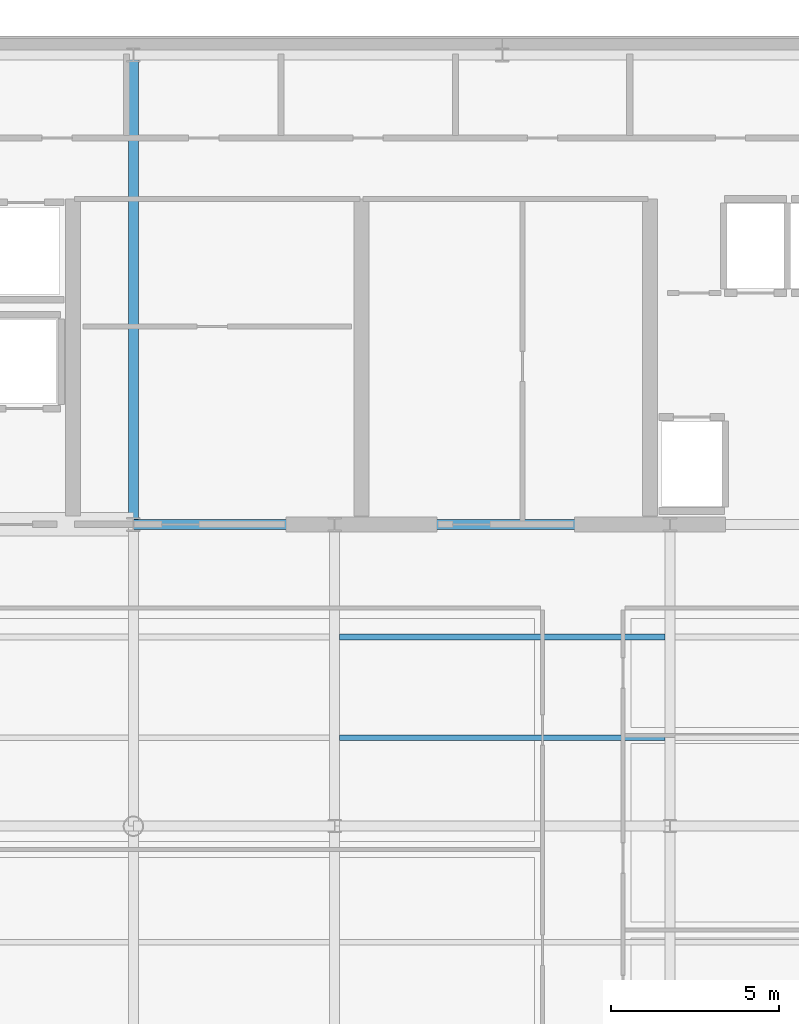
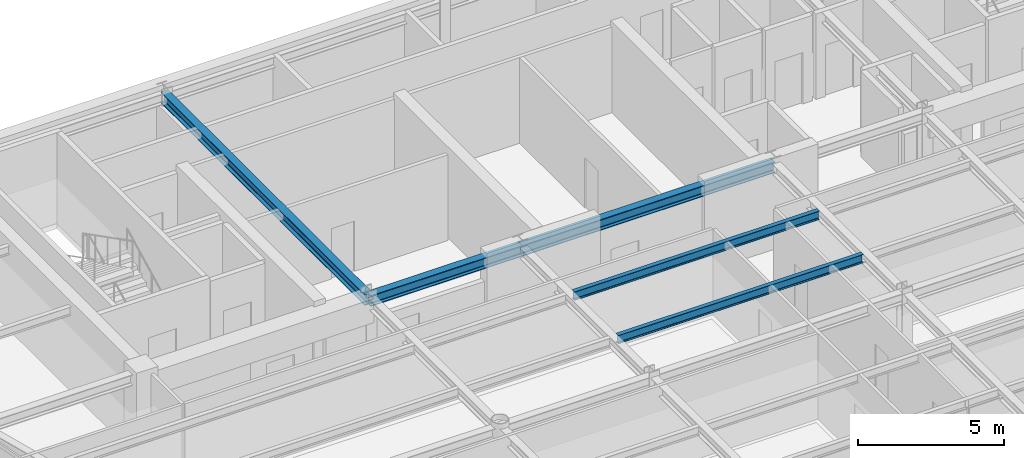
# One storey, part 5 of 20: 5 beams.
"""IFC4 building model written with IfcOpenShell, lengths in metres."""

from ifc_helpers import new_model, si_unit, direction, frame, origin, origin_2d, place, context, subcontext, project, spatial, i_section, extrude, source, transform, mapped, material, material_profile, profile_set, type_object, element, save


model = new_model("IFC4")

# Units and contexts
model_context = context("Model", 3, precision=1e-05, world=origin(), true_north=direction((0.0, 1.0)))
body_context = subcontext(model_context, "Body", "Model", "MODEL_VIEW")
ifc_project = project(units=[si_unit("LENGTHUNIT", "METRE"), si_unit("AREAUNIT", "SQUARE_METRE"), si_unit("VOLUMEUNIT", "CUBIC_METRE"), si_unit("PLANEANGLEUNIT", "RADIAN"), si_unit("MASSUNIT", "GRAM", prefix="KILO")], contexts=[model_context])

# Site, building, storey
site_placement = place(None, origin())
site = spatial("IfcSite", under=ifc_project, at=site_placement, CompositionType="ELEMENT")
building_placement = place(site_placement, origin())
building = spatial("IfcBuilding", under=site, at=building_placement, Name="Vaeldorn Concourse Tower", CompositionType="ELEMENT")
storey_placement = place(building_placement, frame((0.0, 0.0, 280.199951171875)))
storey = spatial("IfcBuildingStorey", under=building, at=storey_placement, Name="L72", CompositionType="ELEMENT", Elevation=280.199951171875)

# Beams
ifc_material = material(Name="Steel S355", Category="steel")
ifc_material_profile_1 = material_profile(ifc_material, i_section(OverallWidth=0.300048828125, OverallDepth=0.449951171875, WebThickness=0.013916015625, FlangeThickness=0.02587890625, FilletRadius=0.027099609375, at=origin_2d()), Name="HEB 450")
ifc_profile_set_1 = profile_set([ifc_material_profile_1], Name="Steel S355")
beam_type_1 = type_object("IfcBeamType", Name="BM-PG-HEB450", PredefinedType="BEAM", material=ifc_profile_set_1)
shared_shape_1 = source(origin(), body_context, "Body", "SweptSolid", [
    extrude(i_section(OverallWidth=0.300048828125, OverallDepth=0.449951171875, WebThickness=0.013916015625, FlangeThickness=0.02587890625, FilletRadius=0.027099609375, at=origin_2d()), origin(), (0.0, 0.0, 1.0), 6.0),
])
beam_1_placement = place(storey_placement, frame((23.0, 36.5, 3.35498046875), z_axis=(1.0, 0.0, 0.0), x_axis=(0.0, 1.0, 0.0)))
element("IfcBeam", 1, at=beam_1_placement, inside=storey, type_object=beam_type_1, Name="Beam BM-L72-C-FC2-C-FC3", PredefinedType="BEAM", context=body_context, shape_type="MappedRepresentation", body=[
    mapped(shared_shape_1, transform((0.0, 0.0, 0.0), scale=1.0)),
])
shared_shape_2 = source(origin(), body_context, "Body", "SweptSolid", [
    extrude(i_section(OverallWidth=0.300048828125, OverallDepth=0.449951171875, WebThickness=0.013916015625, FlangeThickness=0.02587890625, FilletRadius=0.027099609375, at=origin_2d()), origin(), (0.0, 0.0, 1.0), 10.0),
])
beam_2_placement = place(storey_placement, frame((29.0, 36.5, 3.35498046875), z_axis=(1.0, 0.0, 0.0), x_axis=(0.0, 1.0, 0.0)))
element("IfcBeam", 2, at=beam_2_placement, inside=storey, type_object=beam_type_1, Name="Beam BM-L72-C-FC3-C-FC4", PredefinedType="BEAM", context=body_context, shape_type="MappedRepresentation", body=[
    mapped(shared_shape_2, transform((0.0, 0.0, 0.0), scale=1.0)),
])
ifc_material_profile_2 = material_profile(ifc_material, i_section(OverallWidth=0.169921875, OverallDepth=0.360107421875, WebThickness=0.008056640625, FlangeThickness=0.0126953125, FilletRadius=0.01806640625, at=origin_2d()), Name="IPE 360")
ifc_profile_set_2 = profile_set([ifc_material_profile_2], Name="Steel S355")
beam_type_2 = type_object("IfcBeamType", Name="BM-JS-IPE360", PredefinedType="JOIST", material=ifc_profile_set_2)
shared_shape_3 = source(origin(), body_context, "Body", "SweptSolid", [
    extrude(i_section(OverallWidth=0.169921875, OverallDepth=0.360107421875, WebThickness=0.008056640625, FlangeThickness=0.0126953125, FilletRadius=0.01806640625, at=origin_2d()), origin(), (0.0, 0.0, 1.0), 9.7001953125),
])
for number, where, z_axis, x_axis, name in (
    (3, (29.14990234375, 30.139892578125, 3.400146484375), (1.0, 0.0, 0.0), (0.0, 1.0, 0.0), "Beam JS-L72-C-301"),
    (4, (29.14990234375, 33.139892578125, 3.400146484375), (1.0, 0.0, 0.0), (0.0, 1.0, 0.0), "Beam JS-L72-C-331"),
):
    element("IfcBeam", number, at=place(storey_placement, frame(where, z_axis=z_axis, x_axis=x_axis)), inside=storey, type_object=beam_type_2, Name=name, PredefinedType="JOIST", context=body_context, shape_type="MappedRepresentation", body=[
        mapped(shared_shape_3, transform((0.0, 0.0, 0.0), scale=1.0)),
    ])
shared_shape_4 = source(origin(), body_context, "Body", "SweptSolid", [
    extrude(i_section(OverallWidth=0.300048828125, OverallDepth=0.449951171875, WebThickness=0.013916015625, FlangeThickness=0.02587890625, FilletRadius=0.027099609375, at=origin_2d()), origin(), (0.0, 0.0, 1.0), 14.0),
])
beam_3_placement = place(storey_placement, frame((23.0, 36.5, 3.35498046875), z_axis=(0.0, 1.0, 0.0), x_axis=(-1.0, 0.0, 0.0)))
element("IfcBeam", 5, at=beam_3_placement, inside=storey, type_object=beam_type_1, Name="Beam BM-L72-C-FC2-C-HC2", PredefinedType="BEAM", context=body_context, shape_type="MappedRepresentation", body=[
    mapped(shared_shape_4, transform((0.0, 0.0, 0.0), scale=1.0)),
])

save(model, "model.ifc")
